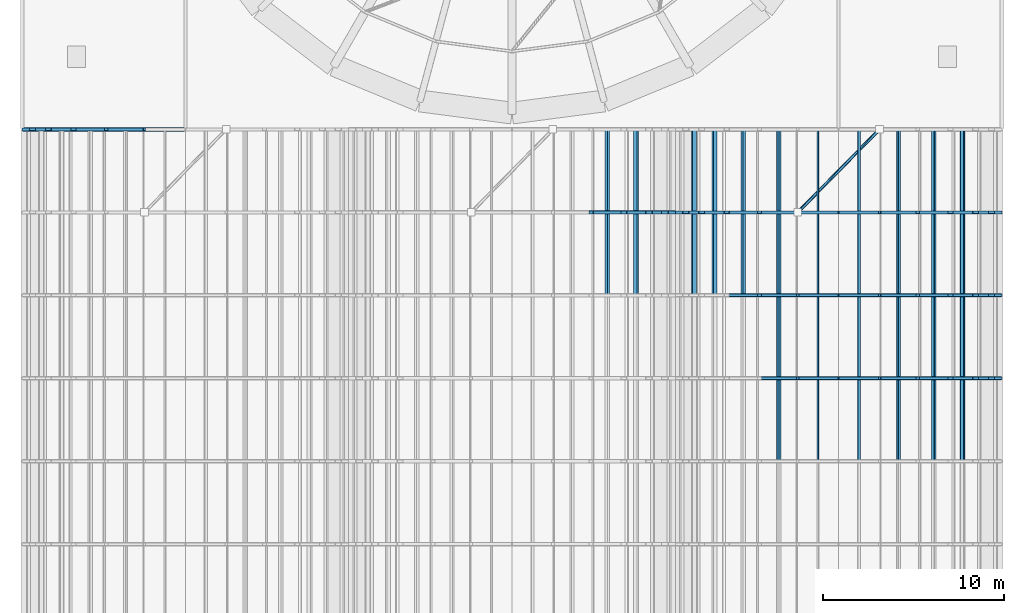
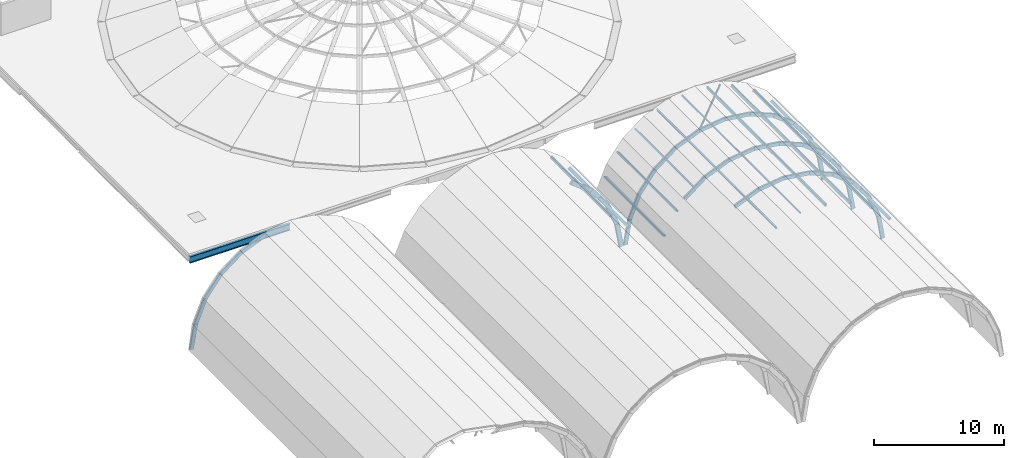
# One storey, part 6 of 25: 73 members, 1 beam.
"""IFC4 building model written with IfcOpenShell, lengths in metres."""

from ifc_helpers import new_model, si_unit, direction, frame, origin, origin_2d, place, context, subcontext, project, spatial, hollow_rectangle, hollow_circle, i_section, extrude, material, material_profile, profile_set, type_object, element, save


model = new_model("IFC4")

# Units and contexts
model_context = context("Model", 3, precision=1e-05, world=origin(), true_north=direction((0.0, 1.0)))
body_context = subcontext(model_context, "Body", "Model", "MODEL_VIEW")
ifc_project = project(units=[si_unit("LENGTHUNIT", "METRE"), si_unit("AREAUNIT", "SQUARE_METRE"), si_unit("VOLUMEUNIT", "CUBIC_METRE"), si_unit("PLANEANGLEUNIT", "RADIAN"), si_unit("MASSUNIT", "GRAM", prefix="KILO")], contexts=[model_context])

# Site, building, storey
site_placement = place(None, origin())
site = spatial("IfcSite", under=ifc_project, at=site_placement, CompositionType="ELEMENT")
building_placement = place(site_placement, origin())
building = spatial("IfcBuilding", under=site, at=building_placement, Name="Marnock Terrace Opera House", CompositionType="ELEMENT")
storey_placement = place(building_placement, frame((0.0, 0.0, 28.199951171875)))
storey = spatial("IfcBuildingStorey", under=building, at=storey_placement, Name="RF", CompositionType="ELEMENT", Elevation=28.199951171875)

# Beam
ifc_material_1 = material(Name="Steel Grade 350 (AS/NZS 3679.1)", Category="steel")
ifc_material_profile_1 = material_profile(ifc_material_1, i_section(OverallWidth=0.22900390625, OverallDepth=0.611572265625, WebThickness=0.011962890625, FlangeThickness=0.01953125, FilletRadius=0.013916015625, at=origin_2d()))
ifc_profile_set_1 = profile_set([ifc_material_profile_1], Name="Steel Grade 350 (AS/NZS 3679.1)")
beam_type = type_object("IfcBeamType", Name="BM-GIRD-610A", PredefinedType="BEAM", material=ifc_profile_set_1)
beam_placement = place(storey_placement, frame((55.050048828125, 40.0, -0.525634765625), z_axis=(1.0, 0.0, 0.0), x_axis=(0.0, 1.0, 0.0)))
element("IfcBeam", 1, at=beam_placement, inside=storey, type_object=beam_type, Name="RF girder (55.0..64.0, Y=40.0)", PredefinedType="BEAM", context=body_context, shape_type="SweptSolid", body=[
    extrude(i_section(OverallWidth=0.22900390625, OverallDepth=0.611572265625, WebThickness=0.011962890625, FlangeThickness=0.01953125, FilletRadius=0.013916015625, at=origin_2d()), origin(), (0.0, 0.0, 1.0), 8.89990234375),
])

# Members
ifc_material_2 = material(Name="Cold-formed Steel Grade C350L0 (AS/NZS 1163)", Category="steel")
ifc_material_profile_2 = material_profile(ifc_material_2, hollow_circle(Radius=0.084228515625, WallThickness=0.007080078125, at=origin_2d()))
ifc_profile_set_2 = profile_set([ifc_material_profile_2], Name="Cold-formed Steel Grade C350L0 (AS/NZS 1163)")
member_type_1 = type_object("IfcMemberType", Name="MEM-BRACE-CHS2", PredefinedType="BRACE", material=ifc_profile_set_2)
member_1_placement = place(storey_placement, frame((97.748291015625, 35.428466796875, -0.596435546875), z_axis=(0.701779574727, 0.712394152486, 0.0), x_axis=(-0.712394152486, 0.701779574727, 0.0)))
element("IfcMember", 2, at=member_1_placement, inside=storey, type_object=member_type_1, Name="Barrel vault 3 roof wind brace", PredefinedType="BRACE", context=body_context, shape_type="SweptSolid", body=[
    extrude(hollow_circle(Radius=0.084228515625, WallThickness=0.007080078125, at=origin_2d()), origin(), (0.0, 0.0, 1.0), 6.417236328125),
])
ifc_material_profile_3 = material_profile(ifc_material_2, hollow_rectangle(XDim=0.10009765625, YDim=0.14990234375, WallThickness=0.006103515625, InnerFilletRadius=0.006103515625, OuterFilletRadius=0.011962890625, at=origin_2d()))
ifc_profile_set_3 = profile_set([ifc_material_profile_3], Name="Cold-formed Steel Grade C350L0 (AS/NZS 1163)")
member_type_2 = type_object("IfcMemberType", Name="MEM-ROOF-GIRT", PredefinedType="PURLIN", material=ifc_profile_set_3)
member_2_placement = place(storey_placement, frame((98.8681640625, 21.71435546875, -0.402099609375), z_axis=(0.0, 1.0, 0.0), x_axis=(-0.991444861374, 0.0, -0.13052619222)))
element("IfcMember", 3, at=member_2_placement, inside=storey, type_object=member_type_2, Name="Barrel vault 3 bay 4 longitudinal purlin", PredefinedType="PURLIN", context=body_context, shape_type="SweptSolid", body=[
    extrude(hollow_rectangle(XDim=0.10009765625, YDim=0.14990234375, WallThickness=0.006103515625, InnerFilletRadius=0.006103515625, OuterFilletRadius=0.011962890625, at=origin_2d()), origin(), (0.0, 0.0, 1.0), 4.5712890625),
])
member_3_placement = place(storey_placement, frame((98.8681640625, 26.28564453125, -0.402099609375), z_axis=(0.0, 1.0, 0.0), x_axis=(-0.991444861374, 0.0, -0.13052619222)))
element("IfcMember", 4, at=member_3_placement, inside=storey, type_object=member_type_2, Name="Barrel vault 3 bay 5 longitudinal purlin", PredefinedType="PURLIN", context=body_context, shape_type="SweptSolid", body=[
    extrude(hollow_rectangle(XDim=0.10009765625, YDim=0.14990234375, WallThickness=0.006103515625, InnerFilletRadius=0.006103515625, OuterFilletRadius=0.011962890625, at=origin_2d()), origin(), (0.0, 0.0, 1.0), 4.571533203125),
])
member_4_placement = place(storey_placement, frame((98.8681640625, 30.857177734375, -0.402099609375), z_axis=(0.0, 1.0, 0.0), x_axis=(-0.991444861374, 0.0, -0.13052619222)))
element("IfcMember", 5, at=member_4_placement, inside=storey, type_object=member_type_2, Name="Barrel vault 3 bay 6 longitudinal purlin", PredefinedType="PURLIN", context=body_context, shape_type="SweptSolid", body=[
    extrude(hollow_rectangle(XDim=0.10009765625, YDim=0.14990234375, WallThickness=0.006103515625, InnerFilletRadius=0.006103515625, OuterFilletRadius=0.011962890625, at=origin_2d()), origin(), (0.0, 0.0, 1.0), 4.5712890625),
])
member_5_placement = place(storey_placement, frame((98.8681640625, 35.428466796875, -0.402099609375), z_axis=(0.0, 1.0, 0.0), x_axis=(-0.991444861374, 0.0, -0.13052619222)))
element("IfcMember", 6, at=member_5_placement, inside=storey, type_object=member_type_2, Name="Barrel vault 3 bay 7 longitudinal purlin", PredefinedType="PURLIN", context=body_context, shape_type="SweptSolid", body=[
    extrude(hollow_rectangle(XDim=0.10009765625, YDim=0.14990234375, WallThickness=0.006103515625, InnerFilletRadius=0.006103515625, OuterFilletRadius=0.011962890625, at=origin_2d()), origin(), (0.0, 0.0, 1.0), 4.571533203125),
])
ifc_material_profile_4 = material_profile(ifc_material_2, hollow_rectangle(XDim=0.199951171875, YDim=0.39990234375, WallThickness=0.012451171875, InnerFilletRadius=0.012451171875, OuterFilletRadius=0.02490234375, at=origin_2d()))
ifc_profile_set_4 = profile_set([ifc_material_profile_4], Name="Cold-formed Steel Grade C350L0 (AS/NZS 1163)")
member_type_3 = type_object("IfcMemberType", Name="MEM-VAULT-ARCH1", PredefinedType="CHORD", material=ifc_profile_set_4)
for number, where, z_axis, x_axis, name in (
    (7, (86.360107421875, 35.428466796875, -1.4482421875), (0.793349078761, 0.0, -0.608766982702), (0.0, 1.0, 0.0), "Barrel vault 2 station 7 arch chord 9"),
    (8, (88.166015625, 35.428466796875, -2.833984375), (0.608766982702, 0.0, -0.793349078761), (0.0, 1.0, 0.0), "Barrel vault 2 station 7 arch chord 10"),
):
    element("IfcMember", number, at=place(storey_placement, frame(where, z_axis=z_axis, x_axis=x_axis)), inside=storey, type_object=member_type_3, Name=name, PredefinedType="CHORD", context=body_context, shape_type="SweptSolid", body=[
        extrude(hollow_rectangle(XDim=0.199951171875, YDim=0.39990234375, WallThickness=0.012451171875, InnerFilletRadius=0.012451171875, OuterFilletRadius=0.02490234375, at=origin_2d()), origin(), (0.0, 0.0, 1.0), 2.2763671875),
    ])
member_6_placement = place(storey_placement, frame((89.5517578125, 35.428466796875, -4.639892578125), z_axis=(0.382642254796, 0.0, -0.923896587744), x_axis=(0.0, 1.0, 0.0)))
element("IfcMember", 9, at=member_6_placement, inside=storey, type_object=member_type_3, Name="Barrel vault 2 station 7 arch chord 11", PredefinedType="CHORD", context=body_context, shape_type="SweptSolid", body=[
    extrude(hollow_rectangle(XDim=0.199951171875, YDim=0.39990234375, WallThickness=0.012451171875, InnerFilletRadius=0.012451171875, OuterFilletRadius=0.02490234375, at=origin_2d()), origin(), (0.0, 0.0, 1.0), 2.276611328125),
])
member_7_placement = place(storey_placement, frame((90.4228515625, 35.428466796875, -6.7431640625), z_axis=(0.173341635248, 0.0, -0.984861755522), x_axis=(0.0, 1.0, 0.0)))
element("IfcMember", 10, at=member_7_placement, inside=storey, type_object=member_type_3, Name="Barrel vault 2 station 7 arch chord 12", PredefinedType="CHORD", context=body_context, shape_type="SweptSolid", body=[
    extrude(hollow_rectangle(XDim=0.199951171875, YDim=0.39990234375, WallThickness=0.012451171875, InnerFilletRadius=0.012451171875, OuterFilletRadius=0.02490234375, at=origin_2d()), origin(), (0.0, 0.0, 1.0), 2.29150390625),
])
ifc_material_profile_5 = material_profile(ifc_material_2, hollow_rectangle(XDim=0.175048828125, YDim=0.35009765625, WallThickness=0.010009765625, InnerFilletRadius=0.010009765625, OuterFilletRadius=0.02001953125, at=origin_2d()))
ifc_profile_set_5 = profile_set([ifc_material_profile_5], Name="Cold-formed Steel Grade C350L0 (AS/NZS 1163)")
member_type_4 = type_object("IfcMemberType", Name="MEM-VAULT-ARCH2", PredefinedType="CHORD", material=ifc_profile_set_5)
member_8_placement = place(storey_placement, frame((55.179931640625, 40.0, -9.0), z_axis=(0.173341635248, 0.0, 0.984861755522), x_axis=(0.0, 1.0, 0.0)))
element("IfcMember", 11, at=member_8_placement, inside=storey, type_object=member_type_4, Name="Barrel vault 1 station 8 arch chord 1", PredefinedType="CHORD", context=body_context, shape_type="SweptSolid", body=[
    extrude(hollow_rectangle(XDim=0.175048828125, YDim=0.35009765625, WallThickness=0.010009765625, InnerFilletRadius=0.010009765625, OuterFilletRadius=0.02001953125, at=origin_2d()), origin(), (0.0, 0.0, 1.0), 2.29150390625),
])
member_9_placement = place(storey_placement, frame((55.5771484375, 40.0, -6.7431640625), z_axis=(0.382642254796, 0.0, 0.923896587744), x_axis=(0.0, 1.0, 0.0)))
element("IfcMember", 12, at=member_9_placement, inside=storey, type_object=member_type_4, Name="Barrel vault 1 station 8 arch chord 2", PredefinedType="CHORD", context=body_context, shape_type="SweptSolid", body=[
    extrude(hollow_rectangle(XDim=0.175048828125, YDim=0.35009765625, WallThickness=0.010009765625, InnerFilletRadius=0.010009765625, OuterFilletRadius=0.02001953125, at=origin_2d()), origin(), (0.0, 0.0, 1.0), 2.276611328125),
])
for number, where, z_axis, x_axis, name in (
    (13, (56.4482421875, 40.0, -4.639892578125), (0.608766982702, 0.0, 0.793349078761), (0.0, 1.0, 0.0), "Barrel vault 1 station 8 arch chord 3"),
    (14, (57.833984375, 40.0, -2.833984375), (0.793349078761, 0.0, 0.608766982702), (0.0, 1.0, 0.0), "Barrel vault 1 station 8 arch chord 4"),
):
    element("IfcMember", number, at=place(storey_placement, frame(where, z_axis=z_axis, x_axis=x_axis)), inside=storey, type_object=member_type_4, Name=name, PredefinedType="CHORD", context=body_context, shape_type="SweptSolid", body=[
        extrude(hollow_rectangle(XDim=0.175048828125, YDim=0.35009765625, WallThickness=0.010009765625, InnerFilletRadius=0.010009765625, OuterFilletRadius=0.02001953125, at=origin_2d()), origin(), (0.0, 0.0, 1.0), 2.2763671875),
    ])
for number, where, z_axis, x_axis, name in (
    (15, (59.639892578125, 40.0, -1.4482421875), (0.923896587744, 0.0, 0.382642254796), (0.0, 1.0, 0.0), "Barrel vault 1 station 8 arch chord 5"),
    (16, (95.639892578125, 26.28564453125, -1.4482421875), (0.923896587744, 0.0, 0.382642254796), (0.0, 1.0, 0.0), "Barrel vault 3 station 5 arch chord 5"),
):
    element("IfcMember", number, at=place(storey_placement, frame(where, z_axis=z_axis, x_axis=x_axis)), inside=storey, type_object=member_type_4, Name=name, PredefinedType="CHORD", context=body_context, shape_type="SweptSolid", body=[
        extrude(hollow_rectangle(XDim=0.175048828125, YDim=0.35009765625, WallThickness=0.010009765625, InnerFilletRadius=0.010009765625, OuterFilletRadius=0.02001953125, at=origin_2d()), origin(), (0.0, 0.0, 1.0), 2.276611328125),
    ])
for number, where, z_axis, x_axis, name in (
    (17, (97.7431640625, 26.28564453125, -0.5771484375), (0.991444801521, 0.0, 0.130526646847), (0.0, 1.0, 0.0), "Barrel vault 3 station 5 arch chord 6"),
    (18, (100.0, 26.28564453125, -0.280029296875), (0.991444801521, 0.0, -0.130526646847), (0.0, 1.0, 0.0), "Barrel vault 3 station 5 arch chord 7"),
):
    element("IfcMember", number, at=place(storey_placement, frame(where, z_axis=z_axis, x_axis=x_axis)), inside=storey, type_object=member_type_4, Name=name, PredefinedType="CHORD", context=body_context, shape_type="SweptSolid", body=[
        extrude(hollow_rectangle(XDim=0.175048828125, YDim=0.35009765625, WallThickness=0.010009765625, InnerFilletRadius=0.010009765625, OuterFilletRadius=0.02001953125, at=origin_2d()), origin(), (0.0, 0.0, 1.0), 2.2763671875),
    ])
member_10_placement = place(storey_placement, frame((102.2568359375, 26.28564453125, -0.5771484375), z_axis=(0.923896587744, 0.0, -0.382642254796), x_axis=(0.0, 1.0, 0.0)))
element("IfcMember", 19, at=member_10_placement, inside=storey, type_object=member_type_4, Name="Barrel vault 3 station 5 arch chord 8", PredefinedType="CHORD", context=body_context, shape_type="SweptSolid", body=[
    extrude(hollow_rectangle(XDim=0.175048828125, YDim=0.35009765625, WallThickness=0.010009765625, InnerFilletRadius=0.010009765625, OuterFilletRadius=0.02001953125, at=origin_2d()), origin(), (0.0, 0.0, 1.0), 2.276611328125),
])
for number, where, z_axis, x_axis, name in (
    (20, (104.360107421875, 26.28564453125, -1.4482421875), (0.793349078761, 0.0, -0.608766982702), (0.0, 1.0, 0.0), "Barrel vault 3 station 5 arch chord 9"),
    (21, (106.166015625, 26.28564453125, -2.833984375), (0.608766982702, 0.0, -0.793349078761), (0.0, 1.0, 0.0), "Barrel vault 3 station 5 arch chord 10"),
):
    element("IfcMember", number, at=place(storey_placement, frame(where, z_axis=z_axis, x_axis=x_axis)), inside=storey, type_object=member_type_4, Name=name, PredefinedType="CHORD", context=body_context, shape_type="SweptSolid", body=[
        extrude(hollow_rectangle(XDim=0.175048828125, YDim=0.35009765625, WallThickness=0.010009765625, InnerFilletRadius=0.010009765625, OuterFilletRadius=0.02001953125, at=origin_2d()), origin(), (0.0, 0.0, 1.0), 2.2763671875),
    ])
member_11_placement = place(storey_placement, frame((107.5517578125, 26.28564453125, -4.639892578125), z_axis=(0.382642254796, 0.0, -0.923896587744), x_axis=(0.0, 1.0, 0.0)))
element("IfcMember", 22, at=member_11_placement, inside=storey, type_object=member_type_4, Name="Barrel vault 3 station 5 arch chord 11", PredefinedType="CHORD", context=body_context, shape_type="SweptSolid", body=[
    extrude(hollow_rectangle(XDim=0.175048828125, YDim=0.35009765625, WallThickness=0.010009765625, InnerFilletRadius=0.010009765625, OuterFilletRadius=0.02001953125, at=origin_2d()), origin(), (0.0, 0.0, 1.0), 2.276611328125),
])
member_12_placement = place(storey_placement, frame((108.4228515625, 26.28564453125, -6.7431640625), z_axis=(0.173341635248, 0.0, -0.984861755522), x_axis=(0.0, 1.0, 0.0)))
element("IfcMember", 23, at=member_12_placement, inside=storey, type_object=member_type_4, Name="Barrel vault 3 station 5 arch chord 12", PredefinedType="CHORD", context=body_context, shape_type="SweptSolid", body=[
    extrude(hollow_rectangle(XDim=0.175048828125, YDim=0.35009765625, WallThickness=0.010009765625, InnerFilletRadius=0.010009765625, OuterFilletRadius=0.02001953125, at=origin_2d()), origin(), (0.0, 0.0, 1.0), 2.29150390625),
])
member_13_placement = place(storey_placement, frame((93.833984375, 30.857177734375, -2.833984375), z_axis=(0.793349078761, 0.0, 0.608766982702), x_axis=(0.0, 1.0, 0.0)))
element("IfcMember", 24, at=member_13_placement, inside=storey, type_object=member_type_4, Name="Barrel vault 3 station 6 arch chord 4", PredefinedType="CHORD", context=body_context, shape_type="SweptSolid", body=[
    extrude(hollow_rectangle(XDim=0.175048828125, YDim=0.35009765625, WallThickness=0.010009765625, InnerFilletRadius=0.010009765625, OuterFilletRadius=0.02001953125, at=origin_2d()), origin(), (0.0, 0.0, 1.0), 2.2763671875),
])
member_14_placement = place(storey_placement, frame((95.639892578125, 30.857177734375, -1.4482421875), z_axis=(0.923896587744, 0.0, 0.382642254796), x_axis=(0.0, 1.0, 0.0)))
element("IfcMember", 25, at=member_14_placement, inside=storey, type_object=member_type_4, Name="Barrel vault 3 station 6 arch chord 5", PredefinedType="CHORD", context=body_context, shape_type="SweptSolid", body=[
    extrude(hollow_rectangle(XDim=0.175048828125, YDim=0.35009765625, WallThickness=0.010009765625, InnerFilletRadius=0.010009765625, OuterFilletRadius=0.02001953125, at=origin_2d()), origin(), (0.0, 0.0, 1.0), 2.276611328125),
])
for number, where, z_axis, x_axis, name in (
    (26, (97.7431640625, 30.857177734375, -0.5771484375), (0.991444801521, 0.0, 0.130526646847), (0.0, 1.0, 0.0), "Barrel vault 3 station 6 arch chord 6"),
    (27, (100.0, 30.857177734375, -0.280029296875), (0.991444801521, 0.0, -0.130526646847), (0.0, 1.0, 0.0), "Barrel vault 3 station 6 arch chord 7"),
):
    element("IfcMember", number, at=place(storey_placement, frame(where, z_axis=z_axis, x_axis=x_axis)), inside=storey, type_object=member_type_4, Name=name, PredefinedType="CHORD", context=body_context, shape_type="SweptSolid", body=[
        extrude(hollow_rectangle(XDim=0.175048828125, YDim=0.35009765625, WallThickness=0.010009765625, InnerFilletRadius=0.010009765625, OuterFilletRadius=0.02001953125, at=origin_2d()), origin(), (0.0, 0.0, 1.0), 2.2763671875),
    ])
member_15_placement = place(storey_placement, frame((102.2568359375, 30.857177734375, -0.5771484375), z_axis=(0.923896587744, 0.0, -0.382642254796), x_axis=(0.0, 1.0, 0.0)))
element("IfcMember", 28, at=member_15_placement, inside=storey, type_object=member_type_4, Name="Barrel vault 3 station 6 arch chord 8", PredefinedType="CHORD", context=body_context, shape_type="SweptSolid", body=[
    extrude(hollow_rectangle(XDim=0.175048828125, YDim=0.35009765625, WallThickness=0.010009765625, InnerFilletRadius=0.010009765625, OuterFilletRadius=0.02001953125, at=origin_2d()), origin(), (0.0, 0.0, 1.0), 2.276611328125),
])
for number, where, z_axis, x_axis, name in (
    (29, (104.360107421875, 30.857177734375, -1.4482421875), (0.793349078761, 0.0, -0.608766982702), (0.0, 1.0, 0.0), "Barrel vault 3 station 6 arch chord 9"),
    (30, (106.166015625, 30.857177734375, -2.833984375), (0.608766982702, 0.0, -0.793349078761), (0.0, 1.0, 0.0), "Barrel vault 3 station 6 arch chord 10"),
):
    element("IfcMember", number, at=place(storey_placement, frame(where, z_axis=z_axis, x_axis=x_axis)), inside=storey, type_object=member_type_4, Name=name, PredefinedType="CHORD", context=body_context, shape_type="SweptSolid", body=[
        extrude(hollow_rectangle(XDim=0.175048828125, YDim=0.35009765625, WallThickness=0.010009765625, InnerFilletRadius=0.010009765625, OuterFilletRadius=0.02001953125, at=origin_2d()), origin(), (0.0, 0.0, 1.0), 2.2763671875),
    ])
member_16_placement = place(storey_placement, frame((107.5517578125, 30.857177734375, -4.639892578125), z_axis=(0.382642254796, 0.0, -0.923896587744), x_axis=(0.0, 1.0, 0.0)))
element("IfcMember", 31, at=member_16_placement, inside=storey, type_object=member_type_4, Name="Barrel vault 3 station 6 arch chord 11", PredefinedType="CHORD", context=body_context, shape_type="SweptSolid", body=[
    extrude(hollow_rectangle(XDim=0.175048828125, YDim=0.35009765625, WallThickness=0.010009765625, InnerFilletRadius=0.010009765625, OuterFilletRadius=0.02001953125, at=origin_2d()), origin(), (0.0, 0.0, 1.0), 2.276611328125),
])
for number, where, z_axis, x_axis, name in (
    (32, (108.4228515625, 30.857177734375, -6.7431640625), (0.173341635248, 0.0, -0.984861755522), (0.0, 1.0, 0.0), "Barrel vault 3 station 6 arch chord 12"),
    (33, (91.179931640625, 35.428466796875, -9.0), (0.173341635248, 0.0, 0.984861755522), (0.0, 1.0, 0.0), "Barrel vault 3 station 7 arch chord 1"),
):
    element("IfcMember", number, at=place(storey_placement, frame(where, z_axis=z_axis, x_axis=x_axis)), inside=storey, type_object=member_type_4, Name=name, PredefinedType="CHORD", context=body_context, shape_type="SweptSolid", body=[
        extrude(hollow_rectangle(XDim=0.175048828125, YDim=0.35009765625, WallThickness=0.010009765625, InnerFilletRadius=0.010009765625, OuterFilletRadius=0.02001953125, at=origin_2d()), origin(), (0.0, 0.0, 1.0), 2.29150390625),
    ])
member_17_placement = place(storey_placement, frame((91.5771484375, 35.428466796875, -6.7431640625), z_axis=(0.382642254796, 0.0, 0.923896587744), x_axis=(0.0, 1.0, 0.0)))
element("IfcMember", 34, at=member_17_placement, inside=storey, type_object=member_type_4, Name="Barrel vault 3 station 7 arch chord 2", PredefinedType="CHORD", context=body_context, shape_type="SweptSolid", body=[
    extrude(hollow_rectangle(XDim=0.175048828125, YDim=0.35009765625, WallThickness=0.010009765625, InnerFilletRadius=0.010009765625, OuterFilletRadius=0.02001953125, at=origin_2d()), origin(), (0.0, 0.0, 1.0), 2.276611328125),
])
for number, where, z_axis, x_axis, name in (
    (35, (92.4482421875, 35.428466796875, -4.639892578125), (0.608766982702, 0.0, 0.793349078761), (0.0, 1.0, 0.0), "Barrel vault 3 station 7 arch chord 3"),
    (36, (93.833984375, 35.428466796875, -2.833984375), (0.793349078761, 0.0, 0.608766982702), (0.0, 1.0, 0.0), "Barrel vault 3 station 7 arch chord 4"),
):
    element("IfcMember", number, at=place(storey_placement, frame(where, z_axis=z_axis, x_axis=x_axis)), inside=storey, type_object=member_type_4, Name=name, PredefinedType="CHORD", context=body_context, shape_type="SweptSolid", body=[
        extrude(hollow_rectangle(XDim=0.175048828125, YDim=0.35009765625, WallThickness=0.010009765625, InnerFilletRadius=0.010009765625, OuterFilletRadius=0.02001953125, at=origin_2d()), origin(), (0.0, 0.0, 1.0), 2.2763671875),
    ])
member_18_placement = place(storey_placement, frame((95.639892578125, 35.428466796875, -1.4482421875), z_axis=(0.923896587744, 0.0, 0.382642254796), x_axis=(0.0, 1.0, 0.0)))
element("IfcMember", 37, at=member_18_placement, inside=storey, type_object=member_type_4, Name="Barrel vault 3 station 7 arch chord 5", PredefinedType="CHORD", context=body_context, shape_type="SweptSolid", body=[
    extrude(hollow_rectangle(XDim=0.175048828125, YDim=0.35009765625, WallThickness=0.010009765625, InnerFilletRadius=0.010009765625, OuterFilletRadius=0.02001953125, at=origin_2d()), origin(), (0.0, 0.0, 1.0), 2.276611328125),
])
for number, where, z_axis, x_axis, name in (
    (38, (97.7431640625, 35.428466796875, -0.5771484375), (0.991444801521, 0.0, 0.130526646847), (0.0, 1.0, 0.0), "Barrel vault 3 station 7 arch chord 6"),
    (39, (100.0, 35.428466796875, -0.280029296875), (0.991444801521, 0.0, -0.130526646847), (0.0, 1.0, 0.0), "Barrel vault 3 station 7 arch chord 7"),
):
    element("IfcMember", number, at=place(storey_placement, frame(where, z_axis=z_axis, x_axis=x_axis)), inside=storey, type_object=member_type_4, Name=name, PredefinedType="CHORD", context=body_context, shape_type="SweptSolid", body=[
        extrude(hollow_rectangle(XDim=0.175048828125, YDim=0.35009765625, WallThickness=0.010009765625, InnerFilletRadius=0.010009765625, OuterFilletRadius=0.02001953125, at=origin_2d()), origin(), (0.0, 0.0, 1.0), 2.2763671875),
    ])
member_19_placement = place(storey_placement, frame((102.2568359375, 35.428466796875, -0.5771484375), z_axis=(0.923896587744, 0.0, -0.382642254796), x_axis=(0.0, 1.0, 0.0)))
element("IfcMember", 40, at=member_19_placement, inside=storey, type_object=member_type_4, Name="Barrel vault 3 station 7 arch chord 8", PredefinedType="CHORD", context=body_context, shape_type="SweptSolid", body=[
    extrude(hollow_rectangle(XDim=0.175048828125, YDim=0.35009765625, WallThickness=0.010009765625, InnerFilletRadius=0.010009765625, OuterFilletRadius=0.02001953125, at=origin_2d()), origin(), (0.0, 0.0, 1.0), 2.276611328125),
])
for number, where, z_axis, x_axis, name in (
    (41, (104.360107421875, 35.428466796875, -1.4482421875), (0.793349078761, 0.0, -0.608766982702), (0.0, 1.0, 0.0), "Barrel vault 3 station 7 arch chord 9"),
    (42, (106.166015625, 35.428466796875, -2.833984375), (0.608766982702, 0.0, -0.793349078761), (0.0, 1.0, 0.0), "Barrel vault 3 station 7 arch chord 10"),
):
    element("IfcMember", number, at=place(storey_placement, frame(where, z_axis=z_axis, x_axis=x_axis)), inside=storey, type_object=member_type_4, Name=name, PredefinedType="CHORD", context=body_context, shape_type="SweptSolid", body=[
        extrude(hollow_rectangle(XDim=0.175048828125, YDim=0.35009765625, WallThickness=0.010009765625, InnerFilletRadius=0.010009765625, OuterFilletRadius=0.02001953125, at=origin_2d()), origin(), (0.0, 0.0, 1.0), 2.2763671875),
    ])
member_20_placement = place(storey_placement, frame((107.5517578125, 35.428466796875, -4.639892578125), z_axis=(0.382642254796, 0.0, -0.923896587744), x_axis=(0.0, 1.0, 0.0)))
element("IfcMember", 43, at=member_20_placement, inside=storey, type_object=member_type_4, Name="Barrel vault 3 station 7 arch chord 11", PredefinedType="CHORD", context=body_context, shape_type="SweptSolid", body=[
    extrude(hollow_rectangle(XDim=0.175048828125, YDim=0.35009765625, WallThickness=0.010009765625, InnerFilletRadius=0.010009765625, OuterFilletRadius=0.02001953125, at=origin_2d()), origin(), (0.0, 0.0, 1.0), 2.276611328125),
])
member_21_placement = place(storey_placement, frame((108.4228515625, 35.428466796875, -6.7431640625), z_axis=(0.173341635248, 0.0, -0.984861755522), x_axis=(0.0, 1.0, 0.0)))
element("IfcMember", 44, at=member_21_placement, inside=storey, type_object=member_type_4, Name="Barrel vault 3 station 7 arch chord 12", PredefinedType="CHORD", context=body_context, shape_type="SweptSolid", body=[
    extrude(hollow_rectangle(XDim=0.175048828125, YDim=0.35009765625, WallThickness=0.010009765625, InnerFilletRadius=0.010009765625, OuterFilletRadius=0.02001953125, at=origin_2d()), origin(), (0.0, 0.0, 1.0), 2.29150390625),
])
ifc_material_profile_6 = material_profile(ifc_material_2, hollow_rectangle(XDim=0.14990234375, YDim=0.25, WallThickness=0.009033203125, InnerFilletRadius=0.009033203125, OuterFilletRadius=0.01806640625, at=origin_2d()))
ifc_profile_set_6 = profile_set([ifc_material_profile_6], Name="Cold-formed Steel Grade C350L0 (AS/NZS 1163)")
member_type_5 = type_object("IfcMemberType", Name="MEM-VAULT-PURL", PredefinedType="PURLIN", material=ifc_profile_set_6)
for number, where, z_axis, x_axis, name in (
    (45, (87.248779296875, 30.857177734375, -2.15966796875), (0.0, 1.0, 0.0), (-0.793353340291, 0.0, 0.608761429009), "Barrel vault 2 bay 6 longitudinal purlin"),
    (46, (88.84033203125, 30.857177734375, -3.751220703125), (0.0, 1.0, 0.0), (-0.608761429009, 0.0, 0.793353340291), "Barrel vault 2 bay 6 longitudinal purlin"),
):
    element("IfcMember", number, at=place(storey_placement, frame(where, z_axis=z_axis, x_axis=x_axis)), inside=storey, type_object=member_type_5, Name=name, PredefinedType="PURLIN", context=body_context, shape_type="SweptSolid", body=[
        extrude(hollow_rectangle(XDim=0.14990234375, YDim=0.25, WallThickness=0.009033203125, InnerFilletRadius=0.009033203125, OuterFilletRadius=0.01806640625, at=origin_2d()), origin(), (0.0, 0.0, 1.0), 4.5712890625),
    ])
for number, where, z_axis, x_axis, name in (
    (47, (87.248779296875, 35.428466796875, -2.15966796875), (0.0, 1.0, 0.0), (-0.793353340291, 0.0, 0.608761429009), "Barrel vault 2 bay 7 longitudinal purlin"),
    (48, (88.84033203125, 35.428466796875, -3.751220703125), (0.0, 1.0, 0.0), (-0.608761429009, 0.0, 0.793353340291), "Barrel vault 2 bay 7 longitudinal purlin"),
):
    element("IfcMember", number, at=place(storey_placement, frame(where, z_axis=z_axis, x_axis=x_axis)), inside=storey, type_object=member_type_5, Name=name, PredefinedType="PURLIN", context=body_context, shape_type="SweptSolid", body=[
        extrude(hollow_rectangle(XDim=0.14990234375, YDim=0.25, WallThickness=0.009033203125, InnerFilletRadius=0.009033203125, OuterFilletRadius=0.01806640625, at=origin_2d()), origin(), (0.0, 0.0, 1.0), 4.571533203125),
    ])
for number, where, z_axis, x_axis, name in (
    (49, (96.700439453125, 21.71435546875, -1.0341796875), (0.0, 1.0, 0.0), (-0.923879532511, 0.0, -0.382683432365), "Barrel vault 3 bay 4 longitudinal purlin"),
    (50, (101.12548828125, 21.71435546875, -0.45166015625), (0.0, 1.0, 0.0), (-0.991444861374, 0.0, 0.13052619222), "Barrel vault 3 bay 4 longitudinal purlin"),
    (51, (103.299560546875, 21.71435546875, -1.0341796875), (0.0, 1.0, 0.0), (-0.923879532511, 0.0, 0.382683432365), "Barrel vault 3 bay 4 longitudinal purlin"),
    (52, (105.248779296875, 21.71435546875, -2.15966796875), (0.0, 1.0, 0.0), (-0.793353340291, 0.0, 0.608761429009), "Barrel vault 3 bay 4 longitudinal purlin"),
    (53, (106.84033203125, 21.71435546875, -3.751220703125), (0.0, 1.0, 0.0), (-0.608761429009, 0.0, 0.793353340291), "Barrel vault 3 bay 4 longitudinal purlin"),
):
    element("IfcMember", number, at=place(storey_placement, frame(where, z_axis=z_axis, x_axis=x_axis)), inside=storey, type_object=member_type_5, Name=name, PredefinedType="PURLIN", context=body_context, shape_type="SweptSolid", body=[
        extrude(hollow_rectangle(XDim=0.14990234375, YDim=0.25, WallThickness=0.009033203125, InnerFilletRadius=0.009033203125, OuterFilletRadius=0.01806640625, at=origin_2d()), origin(), (0.0, 0.0, 1.0), 4.5712890625),
    ])
for number, where, z_axis, x_axis, name in (
    (54, (96.700439453125, 26.28564453125, -1.0341796875), (0.0, 1.0, 0.0), (-0.923879532511, 0.0, -0.382683432365), "Barrel vault 3 bay 5 longitudinal purlin"),
    (55, (101.12548828125, 26.28564453125, -0.45166015625), (0.0, 1.0, 0.0), (-0.991444861374, 0.0, 0.13052619222), "Barrel vault 3 bay 5 longitudinal purlin"),
    (56, (103.299560546875, 26.28564453125, -1.0341796875), (0.0, 1.0, 0.0), (-0.923879532511, 0.0, 0.382683432365), "Barrel vault 3 bay 5 longitudinal purlin"),
    (57, (105.248779296875, 26.28564453125, -2.15966796875), (0.0, 1.0, 0.0), (-0.793353340291, 0.0, 0.608761429009), "Barrel vault 3 bay 5 longitudinal purlin"),
    (58, (106.84033203125, 26.28564453125, -3.751220703125), (0.0, 1.0, 0.0), (-0.608761429009, 0.0, 0.793353340291), "Barrel vault 3 bay 5 longitudinal purlin"),
):
    element("IfcMember", number, at=place(storey_placement, frame(where, z_axis=z_axis, x_axis=x_axis)), inside=storey, type_object=member_type_5, Name=name, PredefinedType="PURLIN", context=body_context, shape_type="SweptSolid", body=[
        extrude(hollow_rectangle(XDim=0.14990234375, YDim=0.25, WallThickness=0.009033203125, InnerFilletRadius=0.009033203125, OuterFilletRadius=0.01806640625, at=origin_2d()), origin(), (0.0, 0.0, 1.0), 4.571533203125),
    ])
for number, where, z_axis, x_axis, name in (
    (59, (92.034423828125, 30.857177734375, -5.700439453125), (0.0, 1.0, 0.0), (-0.382683432365, 0.0, -0.923879532511), "Barrel vault 3 bay 6 longitudinal purlin"),
    (60, (93.15966796875, 30.857177734375, -3.751220703125), (0.0, 1.0, 0.0), (-0.608761429009, 0.0, -0.793353340291), "Barrel vault 3 bay 6 longitudinal purlin"),
    (61, (94.751220703125, 30.857177734375, -2.15966796875), (0.0, 1.0, 0.0), (-0.793353340291, 0.0, -0.608761429009), "Barrel vault 3 bay 6 longitudinal purlin"),
    (62, (96.700439453125, 30.857177734375, -1.0341796875), (0.0, 1.0, 0.0), (-0.923879532511, 0.0, -0.382683432365), "Barrel vault 3 bay 6 longitudinal purlin"),
    (63, (101.12548828125, 30.857177734375, -0.45166015625), (0.0, 1.0, 0.0), (-0.991444861374, 0.0, 0.13052619222), "Barrel vault 3 bay 6 longitudinal purlin"),
    (64, (103.299560546875, 30.857177734375, -1.0341796875), (0.0, 1.0, 0.0), (-0.923879532511, 0.0, 0.382683432365), "Barrel vault 3 bay 6 longitudinal purlin"),
    (65, (105.248779296875, 30.857177734375, -2.15966796875), (0.0, 1.0, 0.0), (-0.793353340291, 0.0, 0.608761429009), "Barrel vault 3 bay 6 longitudinal purlin"),
    (66, (106.84033203125, 30.857177734375, -3.751220703125), (0.0, 1.0, 0.0), (-0.608761429009, 0.0, 0.793353340291), "Barrel vault 3 bay 6 longitudinal purlin"),
):
    element("IfcMember", number, at=place(storey_placement, frame(where, z_axis=z_axis, x_axis=x_axis)), inside=storey, type_object=member_type_5, Name=name, PredefinedType="PURLIN", context=body_context, shape_type="SweptSolid", body=[
        extrude(hollow_rectangle(XDim=0.14990234375, YDim=0.25, WallThickness=0.009033203125, InnerFilletRadius=0.009033203125, OuterFilletRadius=0.01806640625, at=origin_2d()), origin(), (0.0, 0.0, 1.0), 4.5712890625),
    ])
for number, where, z_axis, x_axis, name in (
    (67, (92.034423828125, 35.428466796875, -5.700439453125), (0.0, 1.0, 0.0), (-0.382683432365, 0.0, -0.923879532511), "Barrel vault 3 bay 7 longitudinal purlin"),
    (68, (93.15966796875, 35.428466796875, -3.751220703125), (0.0, 1.0, 0.0), (-0.608761429009, 0.0, -0.793353340291), "Barrel vault 3 bay 7 longitudinal purlin"),
    (69, (94.751220703125, 35.428466796875, -2.15966796875), (0.0, 1.0, 0.0), (-0.793353340291, 0.0, -0.608761429009), "Barrel vault 3 bay 7 longitudinal purlin"),
    (70, (96.700439453125, 35.428466796875, -1.0341796875), (0.0, 1.0, 0.0), (-0.923879532511, 0.0, -0.382683432365), "Barrel vault 3 bay 7 longitudinal purlin"),
    (71, (101.12548828125, 35.428466796875, -0.45166015625), (0.0, 1.0, 0.0), (-0.991444861374, 0.0, 0.13052619222), "Barrel vault 3 bay 7 longitudinal purlin"),
    (72, (103.299560546875, 35.428466796875, -1.0341796875), (0.0, 1.0, 0.0), (-0.923879532511, 0.0, 0.382683432365), "Barrel vault 3 bay 7 longitudinal purlin"),
    (73, (105.248779296875, 35.428466796875, -2.15966796875), (0.0, 1.0, 0.0), (-0.793353340291, 0.0, 0.608761429009), "Barrel vault 3 bay 7 longitudinal purlin"),
    (74, (106.84033203125, 35.428466796875, -3.751220703125), (0.0, 1.0, 0.0), (-0.608761429009, 0.0, 0.793353340291), "Barrel vault 3 bay 7 longitudinal purlin"),
):
    element("IfcMember", number, at=place(storey_placement, frame(where, z_axis=z_axis, x_axis=x_axis)), inside=storey, type_object=member_type_5, Name=name, PredefinedType="PURLIN", context=body_context, shape_type="SweptSolid", body=[
        extrude(hollow_rectangle(XDim=0.14990234375, YDim=0.25, WallThickness=0.009033203125, InnerFilletRadius=0.009033203125, OuterFilletRadius=0.01806640625, at=origin_2d()), origin(), (0.0, 0.0, 1.0), 4.571533203125),
    ])

save(model, "model.ifc")
